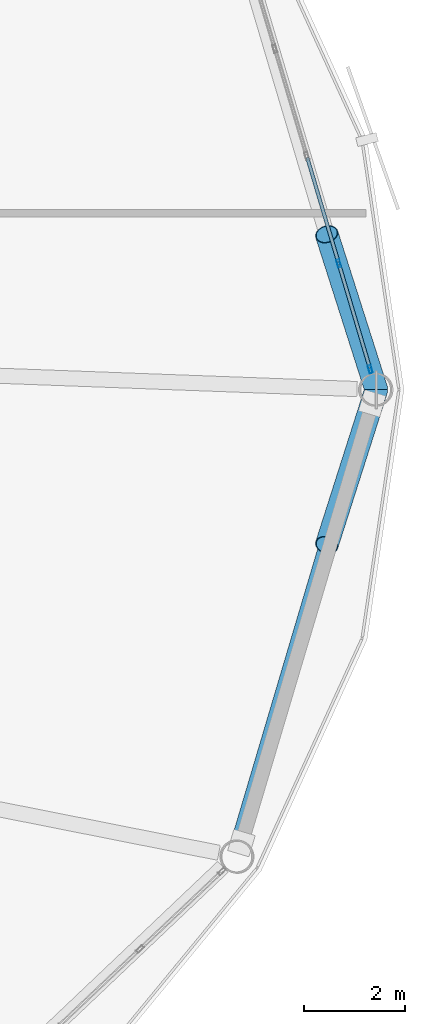
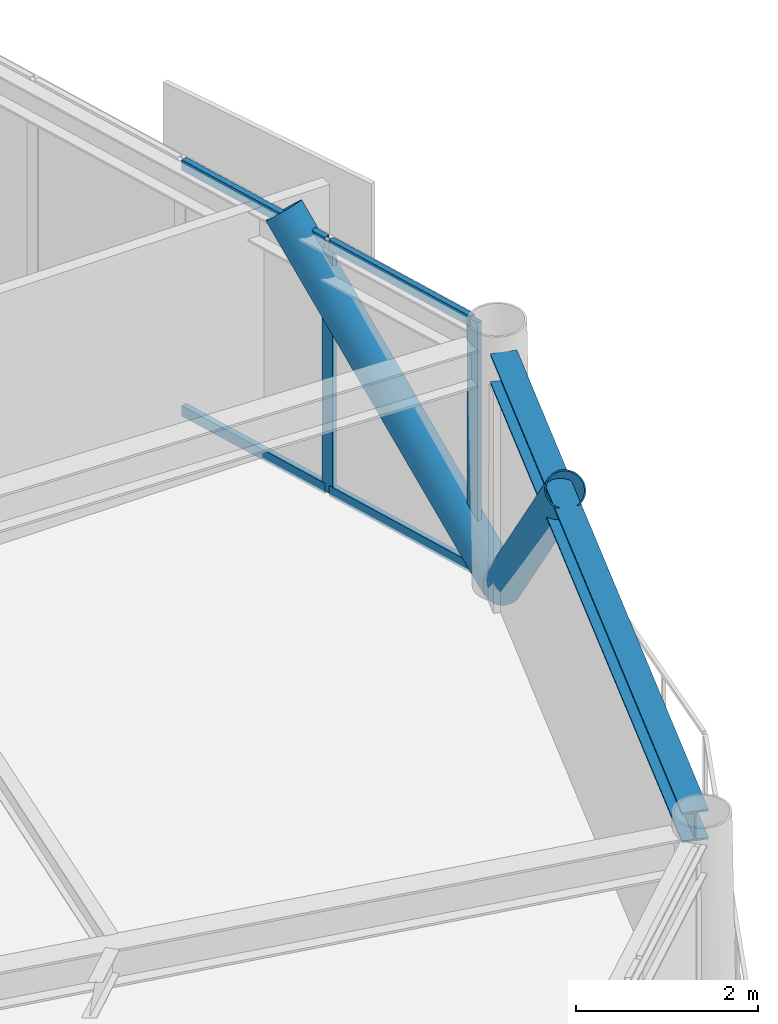
# One storey, part 17 of 29: 8 members, 1 beam, 1 element without a shape of its own.
"""IFC4 building model written with IfcOpenShell, lengths in metres."""

import ifcopenshell
import ifcopenshell.guid

model = None  # the IFC model being written
_history = None  # IfcOwnerHistory: only IFC2X3 demands one
_inside = {}  # id of a spatial element -> (the spatial element, [elements in it])
_under = {}  # id of a project, library or spatial element -> (it, [spatial elements below it])
_declared = {}  # id of a project -> (the project, [libraries it declares])
_typed = {}  # id of a type object -> (the type object, [elements of that type])
_made_of = {}  # id of a material, layer set ... -> (it, [elements and type objects made of it])


def new_model(schema):
    """Start an empty IFC model of exactly this schema.

    Asked for "IFC4X3", IfcOpenShell would pick the latest addendum, in which some entities
    have other attributes; the version numbers below select the first issue.
    IFC2X3 requires an IfcOwnerHistory on every rooted entity: one is made here for all.
    """
    global model, _history
    if schema == "IFC4X3":
        model = ifcopenshell.file(schema_version=(4, 3, 0, 0))
    else:
        model = ifcopenshell.file(schema=schema)
    _inside.clear()
    _under.clear()
    _declared.clear()
    _typed.clear()
    _made_of.clear()
    _history = None
    if model.schema == "IFC2X3":
        org = make("IfcOrganization", Name="unknown")
        user = make(
            "IfcPersonAndOrganization",
            ThePerson=make("IfcPerson", FamilyName="unknown"),
            TheOrganization=org,
        )
        app = make(
            "IfcApplication",
            ApplicationDeveloper=org,
            Version="unknown",
            ApplicationFullName="unknown",
            ApplicationIdentifier="unknown",
        )
        _history = make(
            "IfcOwnerHistory",
            OwningUser=user,
            OwningApplication=app,
            ChangeAction="ADDED",
            CreationDate=0,
        )
    return model


def make(cls, **values):
    """One entity of the class cls with the attributes given. An attribute that is None is left unset."""
    return model.create_entity(
        cls, **{name: value for name, value in values.items() if value is not None}
    )


def rooted(cls, **values):
    """An entity with a GlobalId (a new one), such as an element, a storey or a relation."""
    return make(cls, GlobalId=ifcopenshell.guid.new(), OwnerHistory=_history, **values)


def si_unit(unit_type, name, prefix=None):
    """IfcSIUnit, for example si_unit("LENGTHUNIT", "METRE", prefix="MILLI")."""
    return make("IfcSIUnit", UnitType=unit_type, Prefix=prefix, Name=name)


def assignment(units):
    """IfcUnitAssignment: the units of a project."""
    return None if units is None else make("IfcUnitAssignment", Units=units)


def point(xyz):
    """IfcCartesianPoint."""
    return None if xyz is None else make("IfcCartesianPoint", Coordinates=xyz)


def direction(xyz):
    """IfcDirection."""
    return None if xyz is None else make("IfcDirection", DirectionRatios=xyz)


def frame(location, z_axis=None, x_axis=None):
    """IfcAxis2Placement3D, a coordinate frame: its origin and axes. An axis left out is left unset."""
    return make(
        "IfcAxis2Placement3D",
        Location=point(location),
        Axis=direction(z_axis),
        RefDirection=direction(x_axis),
    )


def frame_2d(location, x_axis=None):
    """IfcAxis2Placement2D, a coordinate frame in the plane: its origin and x axis."""
    return make(
        "IfcAxis2Placement2D", Location=point(location), RefDirection=direction(x_axis)
    )


def origin():
    """The frame at (0, 0, 0) with its axes left unset."""
    return frame((0.0, 0.0, 0.0))


def origin_2d():
    """The frame at (0, 0) in the plane with its x axis left unset."""
    return frame_2d((0.0, 0.0))


def place(relative_to, where):
    """IfcLocalPlacement: puts the frame where relative to a parent placement (None: the world)."""
    return make(
        "IfcLocalPlacement", PlacementRelTo=relative_to, RelativePlacement=where
    )


def context(
    kind, dimensions, precision=None, world=None, true_north=None, identifier=None
):
    """IfcGeometricRepresentationContext, for example the 3D "Model" context."""
    return make(
        "IfcGeometricRepresentationContext",
        ContextIdentifier=identifier,
        ContextType=kind,
        CoordinateSpaceDimension=dimensions,
        Precision=precision,
        WorldCoordinateSystem=world,
        TrueNorth=true_north,
    )


def subcontext(parent, identifier, kind, view, scale=None):
    """IfcGeometricRepresentationSubContext, for example "Body" below "Model"."""
    return make(
        "IfcGeometricRepresentationSubContext",
        ContextIdentifier=identifier,
        ContextType=kind,
        ParentContext=parent,
        TargetScale=scale,
        TargetView=view,
    )


def project(units=None, contexts=None):
    """IfcProject with its units and contexts."""
    return rooted(
        "IfcProject",
        Name="project",
        RepresentationContexts=contexts,
        UnitsInContext=assignment(units),
    )


def spatial(cls, under=None, at=None, **own):
    """A site, building, storey or space (cls), placed at a placement, below another one or the project."""
    s = rooted(cls, ObjectPlacement=at, **own)
    if under is not None:
        _under.setdefault(under.id(), (under, []))[1].append(s)
    return s


def profile(cls, at=None, kind="AREA", **sizes):
    """A parametric profile (cls). Its sizes go by their IFC names, for example OverallWidth=200.0."""
    return make(cls, ProfileType=kind, Position=at, **sizes)


def hollow_rectangle(**sizes):
    """IfcRectangleHollowProfileDef."""
    return profile("IfcRectangleHollowProfileDef", **sizes)


def hollow_circle(**sizes):
    """IfcCircleHollowProfileDef."""
    return profile("IfcCircleHollowProfileDef", **sizes)


def i_section(**sizes):
    """IfcIShapeProfileDef."""
    return profile("IfcIShapeProfileDef", **sizes)


def extrude(swept, where, along, depth):
    """IfcExtrudedAreaSolid: the profile swept, set in the frame where, extruded along a direction by depth."""
    return make(
        "IfcExtrudedAreaSolid",
        SweptArea=swept,
        Position=where,
        ExtrudedDirection=direction(along),
        Depth=depth,
    )


def shape(context_of_items, identifier, shape_type, items):
    """IfcShapeRepresentation: the items that make up one representation, for example the "Body"."""
    return make(
        "IfcShapeRepresentation",
        ContextOfItems=context_of_items,
        RepresentationIdentifier=identifier,
        RepresentationType=shape_type,
        Items=items,
    )


def material(Name=None, Category=None):
    """IfcMaterial."""
    return make("IfcMaterial", Name=Name, Category=Category)


def layer(
    of_material, thickness, ventilated=None, Name=None, Category=None, Priority=None
):
    """IfcMaterialLayer: one layer of a wall or slab, of a material (None: an air gap)."""
    return make(
        "IfcMaterialLayer",
        Material=of_material,
        LayerThickness=thickness,
        IsVentilated=ventilated,
        Name=Name,
        Category=Category,
        Priority=Priority,
    )


def layer_set(layers, Name=None):
    """IfcMaterialLayerSet."""
    return make("IfcMaterialLayerSet", MaterialLayers=layers, LayerSetName=Name)


def material_profile(
    of_material, cross_section, Name=None, Category=None, Priority=None
):
    """IfcMaterialProfile: a cross section and its material."""
    return make(
        "IfcMaterialProfile",
        Name=Name,
        Material=of_material,
        Profile=cross_section,
        Priority=Priority,
        Category=Category,
    )


def profile_set(profiles, Name=None, composite=None):
    """IfcMaterialProfileSet."""
    return make(
        "IfcMaterialProfileSet",
        Name=Name,
        MaterialProfiles=profiles,
        CompositeProfile=composite,
    )


def made_of(thing, what):
    """Note that an element or type object is made of a material, layer set ...; save() writes the relation."""
    if what is not None:
        _made_of.setdefault(what.id(), (what, []))[1].append(thing)
    return thing


def type_object(cls, material=None, **own):
    """A type object (cls), such as IfcWallType, which elements share."""
    return made_of(rooted(cls, **own), material)


def element(
    cls,
    number,
    at=None,
    inside=None,
    cuts=None,
    type_object=None,
    material=None,
    context=None,
    identifier="Body",
    shape_type=None,
    held_by="IfcProductDefinitionShape",
    body=None,
    shapes=None,
    **own,
):
    """One element of the class cls, such as IfcWall. Its Tag is "e" and its number.

    at: its placement. inside: the storey or other place that contains it. cuts: it is an
    opening in that element (IfcRelVoidsElement). A single representation is given by context,
    identifier, shape_type and body (its items); several are given by shapes. held_by: the class
    of the entity that holds the representations. save() writes the other relations.
    """
    e = rooted(cls, Tag="e%d" % number, ObjectPlacement=at, **own)
    if body is not None:
        shapes = [shape(context, identifier, shape_type, body)]
    if shapes is not None:
        e.Representation = make(held_by, Representations=shapes)
    if inside is not None:
        _inside.setdefault(inside.id(), (inside, []))[1].append(e)
    if cuts is not None:
        rooted(
            "IfcRelVoidsElement", RelatingBuildingElement=cuts, RelatedOpeningElement=e
        )
    if type_object is not None:
        _typed.setdefault(type_object.id(), (type_object, []))[1].append(e)
    return made_of(e, material)


def aggregate(whole, parts):
    """IfcRelAggregates: a whole, such as a stair, and the parts it consists of."""
    return rooted("IfcRelAggregates", RelatingObject=whole, RelatedObjects=parts)


def save(model, path):
    """Write the relations noted so far, then the file.

    IfcRelAggregates (storeys below a building ...), IfcRelContainedInSpatialStructure (elements
    in a storey), IfcRelDefinesByType, IfcRelAssociatesMaterial and IfcRelDeclares: one each for
    every whole, place, type object, material and project.
    """
    for whole, parts in _under.values():
        aggregate(whole, parts)
    for where, things in _inside.values():
        rooted(
            "IfcRelContainedInSpatialStructure",
            RelatedElements=things,
            RelatingStructure=where,
        )
    for kind, things in _typed.values():
        rooted("IfcRelDefinesByType", RelatedObjects=things, RelatingType=kind)
    for what, things in _made_of.values():
        rooted("IfcRelAssociatesMaterial", RelatedObjects=things, RelatingMaterial=what)
    for by, libraries in _declared.values():
        rooted("IfcRelDeclares", RelatingContext=by, RelatedDefinitions=libraries)
    model.write(path)


model = new_model("IFC4")

# Units and contexts
model_context = context("Model", 3, precision=1e-05, world=origin(), true_north=direction((0.0, 1.0)))
body_context = subcontext(model_context, "Body", "Model", "MODEL_VIEW")
ifc_project = project(units=[si_unit("LENGTHUNIT", "METRE"), si_unit("AREAUNIT", "SQUARE_METRE"), si_unit("VOLUMEUNIT", "CUBIC_METRE"), si_unit("PLANEANGLEUNIT", "RADIAN"), si_unit("MASSUNIT", "GRAM", prefix="KILO")], contexts=[model_context])

# Site, building, storey
site_placement = place(None, origin())
site = spatial("IfcSite", under=ifc_project, at=site_placement, CompositionType="ELEMENT")
building_placement = place(site_placement, origin())
building = spatial("IfcBuilding", under=site, at=building_placement, Name="Varnakorn Sky Granary", CompositionType="ELEMENT")
storey_placement = place(building_placement, frame((0.0, 0.0, 182.39990234375)))
storey = spatial("IfcBuildingStorey", under=building, at=storey_placement, Name="L45", CompositionType="ELEMENT", Elevation=182.39990234375)

# Beam
ifc_material_1 = material(Name="Steel S355JR", Category="steel")
ifc_material_profile_1 = material_profile(ifc_material_1, i_section(OverallWidth=0.300048828125, OverallDepth=0.39990234375, WebThickness=0.013427734375, FlangeThickness=0.02392578125, at=origin_2d()), Name="HE 400 B")
ifc_profile_set_1 = profile_set([ifc_material_profile_1], Name="Steel S355JR")
beam_type = type_object("IfcBeamType", Name="BM-SPD-Z4", PredefinedType="SPANDREL", material=ifc_profile_set_1)
beam_placement = place(storey_placement, frame((21.837646484375, -8.95458984375, 3.16015625), z_axis=(0.28468412354, 0.958621379797, 0.0), x_axis=(-0.958621379797, 0.28468412354, 0.0)))
element("IfcBeam", 1, at=beam_placement, inside=storey, type_object=beam_type, Name="Perimeter Spandrel Ring Beam RB12 L45", PredefinedType="SPANDREL", context=body_context, shape_type="SweptSolid", body=[
    extrude(i_section(OverallWidth=0.300048828125, OverallDepth=0.39990234375, WebThickness=0.013427734375, FlangeThickness=0.02392578125, at=origin_2d()), origin(), (0.0, 0.0, 1.0), 9.026123046875),
])

# Curtain wall, members
ifc_material_2 = material(Name="Anodised Bronze Aluminium Alloy 6063-T6", Category="aluminium")
ifc_layer = layer(ifc_material_2, 0.169921875, Name="Anodised Bronze Aluminium Alloy 6063-T6")
ifc_layer_set = layer_set([ifc_layer], Name="Anodised Bronze Aluminium Alloy 6063-T6")
curtain_wall_type = type_object("IfcCurtainWallType", Name="CW-LAB-1", PredefinedType="USERDEFINED", material=ifc_layer_set)
curtain_wall_placement = place(storey_placement, origin())
curtain_wall = element("IfcCurtainWall", 2, at=curtain_wall_placement, inside=storey, type_object=curtain_wall_type, Name="Unitised Curtain Wall CW5 CW-L45-B01", ObjectType="CURTAIN WALL", PredefinedType="USERDEFINED")
ifc_material_profile_2 = material_profile(ifc_material_2, hollow_rectangle(XDim=0.06494140625, YDim=0.159912109375, WallThickness=0.00341796875, at=origin_2d()), Name="ALU MULL 65x160")
ifc_profile_set_2 = profile_set([ifc_material_profile_2], Name="Anodised Bronze Aluminium Alloy 6063-T6")
member_type_1 = type_object("IfcMemberType", Name="CW-LAB-1-MULL", PredefinedType="MULLION", material=ifc_profile_set_2)
member_1_placement = place(storey_placement, frame((23.81982421875, 2.50537109375, 0.0), z_axis=(0.0, 0.0, 1.0), x_axis=(0.958503400255, 0.285081096707, 0.0)))
member_1 = element("IfcMember", 3, at=member_1_placement, type_object=member_type_1, Name="CW5 mullion 4", PredefinedType="MULLION", context=body_context, shape_type="SweptSolid", body=[
    extrude(hollow_rectangle(XDim=0.06494140625, YDim=0.159912109375, WallThickness=0.00341796875, at=origin_2d()), origin(), (0.0, 0.0, 1.0), 3.360107421875),
])
member_2_placement = place(storey_placement, frame((24.444580078125, 0.405029296875, 0.0), z_axis=(0.0, 0.0, 1.0), x_axis=(0.958503400255, 0.285081096707, 0.0)))
member_2 = element("IfcMember", 4, at=member_2_placement, type_object=member_type_1, Name="CW5 mullion 5", PredefinedType="MULLION", context=body_context, shape_type="SweptSolid", body=[
    extrude(hollow_rectangle(XDim=0.06494140625, YDim=0.159912109375, WallThickness=0.00341796875, at=origin_2d()), origin(), (0.0, 0.0, 1.0), 3.360107421875),
])
ifc_material_profile_3 = material_profile(ifc_material_2, hollow_rectangle(XDim=0.070068359375, YDim=0.139892578125, WallThickness=0.00341796875, at=origin_2d()), Name="ALU TRAN 70x140")
ifc_profile_set_3 = profile_set([ifc_material_profile_3], Name="Anodised Bronze Aluminium Alloy 6063-T6")
member_type_2 = type_object("IfcMemberType", Name="CW-LAB-1-TRAN", PredefinedType="USERDEFINED", material=ifc_profile_set_3)
member_3_placement = place(storey_placement, frame((23.195068359375, 4.605712890625, 0.03515625), z_axis=(0.285085399457, -0.958502120507, 0.0), x_axis=(0.958502120507, 0.285085399457, 0.0)))
member_3 = element("IfcMember", 5, at=member_3_placement, type_object=member_type_2, Name="CW5 transom 3.1", ObjectType="TRANSOM", PredefinedType="USERDEFINED", context=body_context, shape_type="SweptSolid", body=[
    extrude(hollow_rectangle(XDim=0.070068359375, YDim=0.139892578125, WallThickness=0.00341796875, at=origin_2d()), origin(), (0.0, 0.0, 1.0), 2.158935546875),
])
member_4_placement = place(storey_placement, frame((23.195068359375, 4.605712890625, 3.3251953125), z_axis=(0.285085399457, -0.958502120507, 0.0), x_axis=(0.958502120507, 0.285085399457, 0.0)))
member_4 = element("IfcMember", 6, at=member_4_placement, type_object=member_type_2, Name="CW5 transom 3.2", ObjectType="TRANSOM", PredefinedType="USERDEFINED", context=body_context, shape_type="SweptSolid", body=[
    extrude(hollow_rectangle(XDim=0.070068359375, YDim=0.139892578125, WallThickness=0.00341796875, at=origin_2d()), origin(), (0.0, 0.0, 1.0), 2.158935546875),
])
member_5_placement = place(storey_placement, frame((23.8291015625, 2.47412109375, 0.03515625), z_axis=(0.285092866619, -0.958499899532, 0.0), x_axis=(0.958499899532, 0.285092866619, 0.0)))
member_5 = element("IfcMember", 7, at=member_5_placement, type_object=member_type_2, Name="CW5 transom 4.1", ObjectType="TRANSOM", PredefinedType="USERDEFINED", context=body_context, shape_type="SweptSolid", body=[
    extrude(hollow_rectangle(XDim=0.070068359375, YDim=0.139892578125, WallThickness=0.00341796875, at=origin_2d()), origin(), (0.0, 0.0, 1.0), 2.126220703125),
])
member_6_placement = place(storey_placement, frame((23.8291015625, 2.47412109375, 3.3251953125), z_axis=(0.285092866619, -0.958499899532, 0.0), x_axis=(0.958499899532, 0.285092866619, 0.0)))
member_6 = element("IfcMember", 8, at=member_6_placement, type_object=member_type_2, Name="CW5 transom 4.2", ObjectType="TRANSOM", PredefinedType="USERDEFINED", context=body_context, shape_type="SweptSolid", body=[
    extrude(hollow_rectangle(XDim=0.070068359375, YDim=0.139892578125, WallThickness=0.00341796875, at=origin_2d()), origin(), (0.0, 0.0, 1.0), 2.126220703125),
])
aggregate(curtain_wall, [member_1, member_2, member_3, member_4, member_5, member_6])

# Members
ifc_material_3 = material(Name="Steel S460M", Category="steel")
ifc_material_profile_4 = material_profile(ifc_material_3, hollow_circle(Radius=0.228515625, WallThickness=0.01611328125, at=origin_2d()), Name="CHS 457x16")
ifc_profile_set_4 = profile_set([ifc_material_profile_4], Name="Steel S460M")
member_type_3 = type_object("IfcMemberType", Name="MB-DIAG-T3", PredefinedType="BRACE", material=ifc_profile_set_4)
for number, where, z_axis, x_axis, name in (
    (9, (24.56494140625, 0.0, 0.0), (-0.206749360677, 0.648040282798, 0.733006475913), (-0.95268986748, -0.303944100782, 0.0), "Perimeter CHS Diagrid Brace DG01 L45"),
    (10, (24.56494140625, 0.0, 0.0), (-0.206749360677, -0.648040282798, 0.733006475913), (0.95268986748, -0.303944100782, 0.0), "Perimeter CHS Diagrid Brace DG12 L45"),
):
    element("IfcMember", number, at=place(storey_placement, frame(where, z_axis=z_axis, x_axis=x_axis)), inside=storey, type_object=member_type_3, Name=name, PredefinedType="BRACE", context=body_context, shape_type="SweptSolid", body=[
        extrude(hollow_circle(Radius=0.228515625, WallThickness=0.01611328125, at=origin_2d()), origin(), (0.0, 0.0, 1.0), 4.76123046875),
    ])

save(model, "model.ifc")
